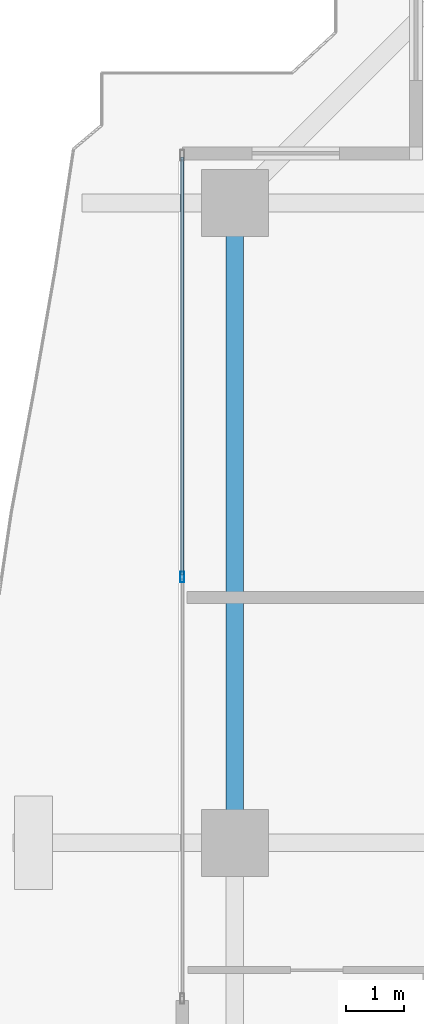
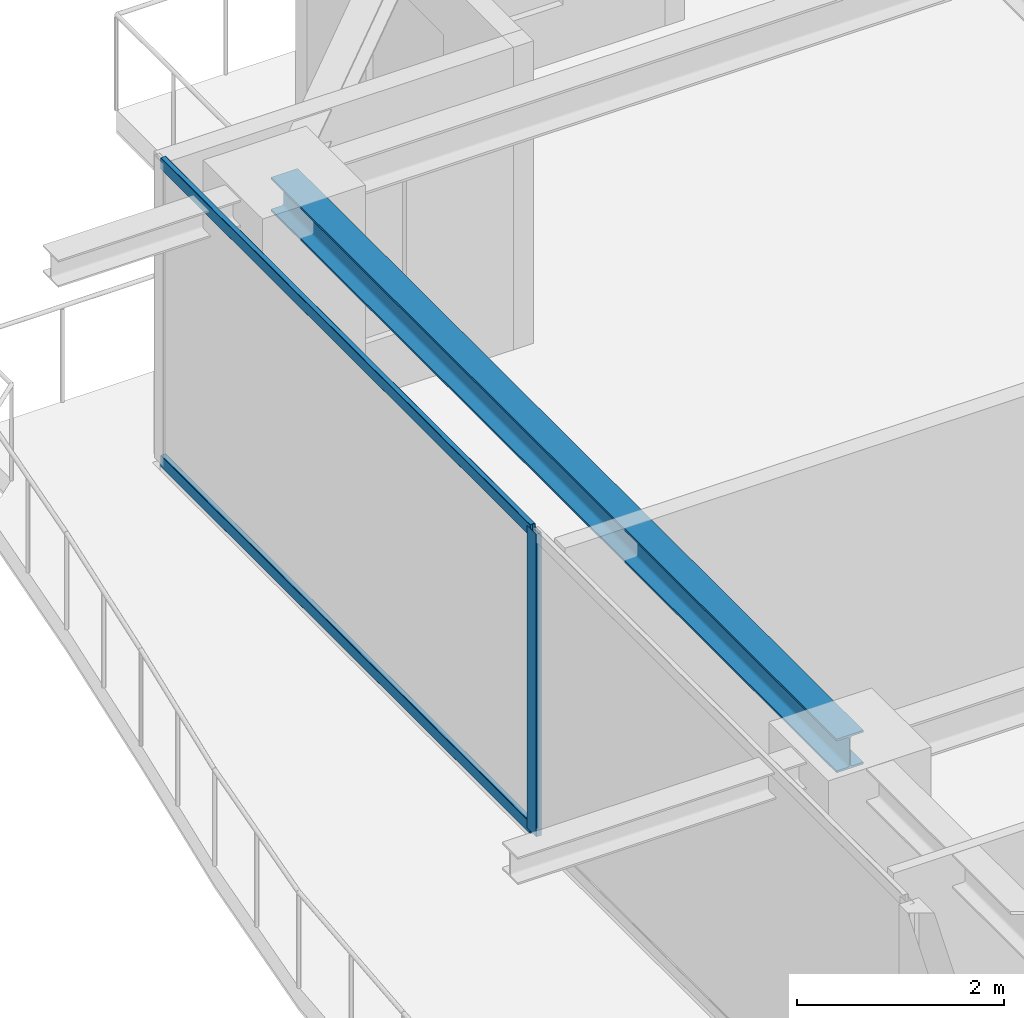
# One storey, part 17 of 40: 3 members, 1 beam, 1 element without a shape of its own.
"""IFC4 building model written with IfcOpenShell, lengths in metres."""

from ifc_helpers import new_model, si_unit, direction, frame, origin, origin_2d, place, context, subcontext, project, spatial, hollow_rectangle, i_section, extrude, source, transform, mapped, material, layer, layer_set, material_profile, profile_set, type_object, element, aggregate, save


model = new_model("IFC4")

# Units and contexts
model_context = context("Model", 3, precision=1e-05, world=origin(), true_north=direction((0.0, 1.0)))
body_context = subcontext(model_context, "Body", "Model", "MODEL_VIEW")
ifc_project = project(units=[si_unit("LENGTHUNIT", "METRE"), si_unit("AREAUNIT", "SQUARE_METRE"), si_unit("VOLUMEUNIT", "CUBIC_METRE"), si_unit("PLANEANGLEUNIT", "RADIAN"), si_unit("MASSUNIT", "GRAM", prefix="KILO")], contexts=[model_context])

# Site, building, storey
site_placement = place(None, origin())
site = spatial("IfcSite", under=ifc_project, at=site_placement, CompositionType="ELEMENT")
building_placement = place(site_placement, origin())
building = spatial("IfcBuilding", under=site, at=building_placement, Name="Serunith Strait Residences", CompositionType="ELEMENT")
storey_placement = place(building_placement, frame((0.0, 0.0, 252.800048828125)))
storey = spatial("IfcBuildingStorey", under=building, at=storey_placement, Name="L63", CompositionType="ELEMENT", Elevation=252.800048828125)

# Beam
ifc_material_1 = material(Name="Steel S355J2", Category="steel")
ifc_material_profile_1 = material_profile(ifc_material_1, i_section(OverallWidth=0.300048828125, OverallDepth=0.39990234375, WebThickness=0.013427734375, FlangeThickness=0.02392578125, FilletRadius=0.027099609375, at=origin_2d()), Name="HEB 400")
ifc_profile_set_1 = profile_set([ifc_material_profile_1], Name="Steel S355J2")
beam_type = type_object("IfcBeamType", Name="BM-HEB400", PredefinedType="BEAM", material=ifc_profile_set_1)
shared_shape_1 = source(origin(), body_context, "Body", "SweptSolid", [
    extrude(i_section(OverallWidth=0.300048828125, OverallDepth=0.39990234375, WebThickness=0.013427734375, FlangeThickness=0.02392578125, FilletRadius=0.027099609375, at=origin_2d()), origin(), (0.0, 0.0, 1.0), 10.9501953125),
])
beam_placement = place(storey_placement, frame((8.300048828125, 40.35009765625, 3.386962890625), z_axis=(0.0, -1.0, 0.0), x_axis=(1.0, 0.0, 0.0)))
element("IfcBeam", 1, at=beam_placement, inside=storey, type_object=beam_type, Name="L63 Perimeter Ring Beam 13", PredefinedType="BEAM", context=body_context, shape_type="MappedRepresentation", body=[
    mapped(shared_shape_1, transform((0.0, 0.0, 0.0), scale=1.0)),
])

# Curtain wall, members
ifc_material_2 = material(Name="Pale-Champagne Anodised Aluminium", Category="aluminium")
ifc_layer = layer(ifc_material_2, 0.199951171875, Name="Pale-Champagne Anodised Aluminium")
ifc_layer_set = layer_set([ifc_layer], Name="Pale-Champagne Anodised Aluminium")
curtain_wall_type = type_object("IfcCurtainWallType", Name="CW-SYS4", PredefinedType="NOTDEFINED", material=ifc_layer_set)
curtain_wall_placement = place(storey_placement, origin())
curtain_wall = element("IfcCurtainWall", 2, at=curtain_wall_placement, inside=storey, type_object=curtain_wall_type, Name="L63 W Unitised Fritted Curtain Wall", PredefinedType="NOTDEFINED")
ifc_material_profile_2 = material_profile(ifc_material_2, hollow_rectangle(XDim=0.06494140625, YDim=0.179931640625, WallThickness=0.00341796875, InnerFilletRadius=0.00537109375, OuterFilletRadius=0.0087890625, at=origin_2d()), Name="ALU 180x65x3.5")
ifc_profile_set_2 = profile_set([ifc_material_profile_2], Name="Pale-Champagne Anodised Aluminium")
member_type_1 = type_object("IfcMemberType", Name="CW-SYS4-MULL", PredefinedType="MULLION", material=ifc_profile_set_2)
shared_shape_2 = source(origin(), body_context, "Body", "SweptSolid", [
    extrude(hollow_rectangle(XDim=0.06494140625, YDim=0.179931640625, WallThickness=0.00341796875, InnerFilletRadius=0.00537109375, OuterFilletRadius=0.0087890625, at=origin_2d()), origin(), (0.0, 0.0, 1.0), 3.574951171875),
])
member_1_placement = place(storey_placement, frame((7.39990234375, 33.949951171875, 0.0), z_axis=(0.0, 0.0, 1.0), x_axis=(1.0, 0.0, 0.0)))
member_1 = element("IfcMember", 3, at=member_1_placement, type_object=member_type_1, Name="CW-4 mullion 2", PredefinedType="MULLION", context=body_context, shape_type="MappedRepresentation", body=[
    mapped(shared_shape_2, transform((0.0, 0.0, 0.0), scale=1.0)),
])
ifc_material_profile_3 = material_profile(ifc_material_2, hollow_rectangle(XDim=0.06005859375, YDim=0.139892578125, WallThickness=0.00341796875, InnerFilletRadius=0.00537109375, OuterFilletRadius=0.0087890625, at=origin_2d()), Name="ALU 140x60x3.5")
ifc_profile_set_3 = profile_set([ifc_material_profile_3], Name="Pale-Champagne Anodised Aluminium")
member_type_2 = type_object("IfcMemberType", Name="CW-SYS4-TRAN", PredefinedType="USERDEFINED", material=ifc_profile_set_3)
shared_shape_3 = source(origin(), body_context, "Body", "SweptSolid", [
    extrude(hollow_rectangle(XDim=0.06005859375, YDim=0.139892578125, WallThickness=0.00341796875, InnerFilletRadius=0.00537109375, OuterFilletRadius=0.0087890625, at=origin_2d()), origin(), (0.0, 0.0, 1.0), 7.152587890625),
])
member_2_placement = place(storey_placement, frame((7.39990234375, 41.135009765625, 0.030029296875), z_axis=(0.0, -1.0, 0.0), x_axis=(1.0, 0.0, 0.0)))
member_2 = element("IfcMember", 4, at=member_2_placement, type_object=member_type_2, Name="CW-4 transom 1.1", ObjectType="TRANSOM", PredefinedType="USERDEFINED", context=body_context, shape_type="MappedRepresentation", body=[
    mapped(shared_shape_3, transform((0.0, 0.0, 0.0), scale=1.0)),
])
member_3_placement = place(storey_placement, frame((7.39990234375, 41.135009765625, 3.544921875), z_axis=(0.0, -1.0, 0.0), x_axis=(1.0, 0.0, 0.0)))
member_3 = element("IfcMember", 5, at=member_3_placement, type_object=member_type_2, Name="CW-4 transom 1.2", ObjectType="TRANSOM", PredefinedType="USERDEFINED", context=body_context, shape_type="MappedRepresentation", body=[
    mapped(shared_shape_3, transform((0.0, 0.0, 0.0), scale=1.0)),
])
aggregate(curtain_wall, [member_1, member_2, member_3])

save(model, "model.ifc")
